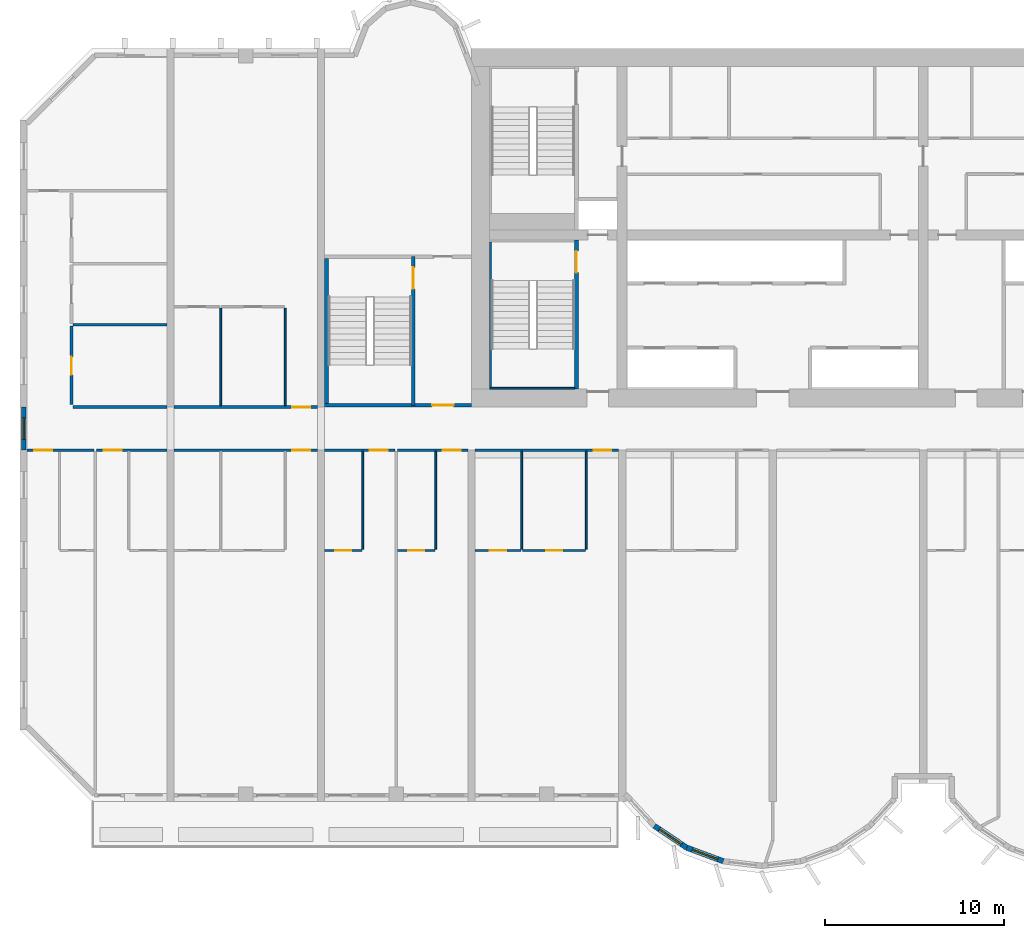
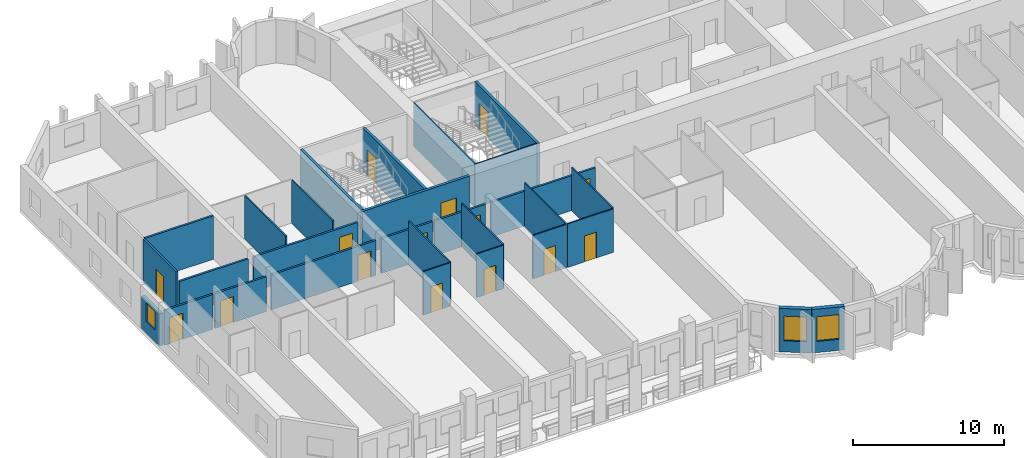
# One storey, part 3 of 14: 29 walls, 15 doors, 3 windows, 18 openings.
"""IFC4 building model written with IfcOpenShell, lengths in metres."""

import ifcopenshell
import ifcopenshell.guid

model = None  # the IFC model being written
_history = None  # IfcOwnerHistory: only IFC2X3 demands one
_inside = {}  # id of a spatial element -> (the spatial element, [elements in it])
_under = {}  # id of a project, library or spatial element -> (it, [spatial elements below it])
_declared = {}  # id of a project -> (the project, [libraries it declares])
_typed = {}  # id of a type object -> (the type object, [elements of that type])
_made_of = {}  # id of a material, layer set ... -> (it, [elements and type objects made of it])


def new_model(schema):
    """Start an empty IFC model of exactly this schema.

    Asked for "IFC4X3", IfcOpenShell would pick the latest addendum, in which some entities
    have other attributes; the version numbers below select the first issue.
    IFC2X3 requires an IfcOwnerHistory on every rooted entity: one is made here for all.
    """
    global model, _history
    if schema == "IFC4X3":
        model = ifcopenshell.file(schema_version=(4, 3, 0, 0))
    else:
        model = ifcopenshell.file(schema=schema)
    _inside.clear()
    _under.clear()
    _declared.clear()
    _typed.clear()
    _made_of.clear()
    _history = None
    if model.schema == "IFC2X3":
        org = make("IfcOrganization", Name="unknown")
        user = make(
            "IfcPersonAndOrganization",
            ThePerson=make("IfcPerson", FamilyName="unknown"),
            TheOrganization=org,
        )
        app = make(
            "IfcApplication",
            ApplicationDeveloper=org,
            Version="unknown",
            ApplicationFullName="unknown",
            ApplicationIdentifier="unknown",
        )
        _history = make(
            "IfcOwnerHistory",
            OwningUser=user,
            OwningApplication=app,
            ChangeAction="ADDED",
            CreationDate=0,
        )
    return model


def make(cls, **values):
    """One entity of the class cls with the attributes given. An attribute that is None is left unset."""
    return model.create_entity(
        cls, **{name: value for name, value in values.items() if value is not None}
    )


def rooted(cls, **values):
    """An entity with a GlobalId (a new one), such as an element, a storey or a relation."""
    return make(cls, GlobalId=ifcopenshell.guid.new(), OwnerHistory=_history, **values)


def si_unit(unit_type, name, prefix=None):
    """IfcSIUnit, for example si_unit("LENGTHUNIT", "METRE", prefix="MILLI")."""
    return make("IfcSIUnit", UnitType=unit_type, Prefix=prefix, Name=name)


def assignment(units):
    """IfcUnitAssignment: the units of a project."""
    return None if units is None else make("IfcUnitAssignment", Units=units)


def point(xyz):
    """IfcCartesianPoint."""
    return None if xyz is None else make("IfcCartesianPoint", Coordinates=xyz)


def direction(xyz):
    """IfcDirection."""
    return None if xyz is None else make("IfcDirection", DirectionRatios=xyz)


def frame(location, z_axis=None, x_axis=None):
    """IfcAxis2Placement3D, a coordinate frame: its origin and axes. An axis left out is left unset."""
    return make(
        "IfcAxis2Placement3D",
        Location=point(location),
        Axis=direction(z_axis),
        RefDirection=direction(x_axis),
    )


def frame_2d(location, x_axis=None):
    """IfcAxis2Placement2D, a coordinate frame in the plane: its origin and x axis."""
    return make(
        "IfcAxis2Placement2D", Location=point(location), RefDirection=direction(x_axis)
    )


def origin():
    """The frame at (0, 0, 0) with its axes left unset."""
    return frame((0.0, 0.0, 0.0))


def place(relative_to, where):
    """IfcLocalPlacement: puts the frame where relative to a parent placement (None: the world)."""
    return make(
        "IfcLocalPlacement", PlacementRelTo=relative_to, RelativePlacement=where
    )


def context(
    kind, dimensions, precision=None, world=None, true_north=None, identifier=None
):
    """IfcGeometricRepresentationContext, for example the 3D "Model" context."""
    return make(
        "IfcGeometricRepresentationContext",
        ContextIdentifier=identifier,
        ContextType=kind,
        CoordinateSpaceDimension=dimensions,
        Precision=precision,
        WorldCoordinateSystem=world,
        TrueNorth=true_north,
    )


def subcontext(parent, identifier, kind, view, scale=None):
    """IfcGeometricRepresentationSubContext, for example "Body" below "Model"."""
    return make(
        "IfcGeometricRepresentationSubContext",
        ContextIdentifier=identifier,
        ContextType=kind,
        ParentContext=parent,
        TargetScale=scale,
        TargetView=view,
    )


def project(units=None, contexts=None):
    """IfcProject with its units and contexts."""
    return rooted(
        "IfcProject",
        Name="project",
        RepresentationContexts=contexts,
        UnitsInContext=assignment(units),
    )


def spatial(cls, under=None, at=None, **own):
    """A site, building, storey or space (cls), placed at a placement, below another one or the project."""
    s = rooted(cls, ObjectPlacement=at, **own)
    if under is not None:
        _under.setdefault(under.id(), (under, []))[1].append(s)
    return s


def profile(cls, at=None, kind="AREA", **sizes):
    """A parametric profile (cls). Its sizes go by their IFC names, for example OverallWidth=200.0."""
    return make(cls, ProfileType=kind, Position=at, **sizes)


def rectangle(**sizes):
    """IfcRectangleProfileDef."""
    return profile("IfcRectangleProfileDef", **sizes)


def extrude(swept, where, along, depth):
    """IfcExtrudedAreaSolid: the profile swept, set in the frame where, extruded along a direction by depth."""
    return make(
        "IfcExtrudedAreaSolid",
        SweptArea=swept,
        Position=where,
        ExtrudedDirection=direction(along),
        Depth=depth,
    )


def shape(context_of_items, identifier, shape_type, items):
    """IfcShapeRepresentation: the items that make up one representation, for example the "Body"."""
    return make(
        "IfcShapeRepresentation",
        ContextOfItems=context_of_items,
        RepresentationIdentifier=identifier,
        RepresentationType=shape_type,
        Items=items,
    )


def source(mapping_origin, context_of_items, identifier, shape_type, items):
    """IfcRepresentationMap: a shape defined once, which mapped items show again and again."""
    return make(
        "IfcRepresentationMap",
        MappingOrigin=mapping_origin,
        MappedRepresentation=shape(context_of_items, identifier, shape_type, items),
    )


def transform(
    local_origin,
    x_axis=None,
    y_axis=None,
    z_axis=None,
    scale=None,
    scale2=None,
    scale3=None,
    uniform=True,
):
    """IfcCartesianTransformationOperator3D, or its non-uniform kind. x_axis, y_axis, z_axis: its Axis1, 2, 3."""
    if uniform:
        return make(
            "IfcCartesianTransformationOperator3D",
            Axis1=direction(x_axis),
            Axis2=direction(y_axis),
            LocalOrigin=point(local_origin),
            Scale=scale,
            Axis3=direction(z_axis),
        )
    return make(
        "IfcCartesianTransformationOperator3DnonUniform",
        Axis1=direction(x_axis),
        Axis2=direction(y_axis),
        LocalOrigin=point(local_origin),
        Scale=scale,
        Axis3=direction(z_axis),
        Scale2=scale2,
        Scale3=scale3,
    )


def mapped(mapping_source, mapping_target):
    """IfcMappedItem: shows the shape of a source again, moved by a transform."""
    return make(
        "IfcMappedItem", MappingSource=mapping_source, MappingTarget=mapping_target
    )


def material(Name=None, Category=None):
    """IfcMaterial."""
    return make("IfcMaterial", Name=Name, Category=Category)


def layer(
    of_material, thickness, ventilated=None, Name=None, Category=None, Priority=None
):
    """IfcMaterialLayer: one layer of a wall or slab, of a material (None: an air gap)."""
    return make(
        "IfcMaterialLayer",
        Material=of_material,
        LayerThickness=thickness,
        IsVentilated=ventilated,
        Name=Name,
        Category=Category,
        Priority=Priority,
    )


def layer_set(layers, Name=None):
    """IfcMaterialLayerSet."""
    return make("IfcMaterialLayerSet", MaterialLayers=layers, LayerSetName=Name)


def made_of(thing, what):
    """Note that an element or type object is made of a material, layer set ...; save() writes the relation."""
    if what is not None:
        _made_of.setdefault(what.id(), (what, []))[1].append(thing)
    return thing


def type_object(cls, material=None, **own):
    """A type object (cls), such as IfcWallType, which elements share."""
    return made_of(rooted(cls, **own), material)


def element(
    cls,
    number,
    at=None,
    inside=None,
    cuts=None,
    type_object=None,
    material=None,
    context=None,
    identifier="Body",
    shape_type=None,
    held_by="IfcProductDefinitionShape",
    body=None,
    shapes=None,
    **own,
):
    """One element of the class cls, such as IfcWall. Its Tag is "e" and its number.

    at: its placement. inside: the storey or other place that contains it. cuts: it is an
    opening in that element (IfcRelVoidsElement). A single representation is given by context,
    identifier, shape_type and body (its items); several are given by shapes. held_by: the class
    of the entity that holds the representations. save() writes the other relations.
    """
    e = rooted(cls, Tag="e%d" % number, ObjectPlacement=at, **own)
    if body is not None:
        shapes = [shape(context, identifier, shape_type, body)]
    if shapes is not None:
        e.Representation = make(held_by, Representations=shapes)
    if inside is not None:
        _inside.setdefault(inside.id(), (inside, []))[1].append(e)
    if cuts is not None:
        rooted(
            "IfcRelVoidsElement", RelatingBuildingElement=cuts, RelatedOpeningElement=e
        )
    if type_object is not None:
        _typed.setdefault(type_object.id(), (type_object, []))[1].append(e)
    return made_of(e, material)


def fill(opening, filler):
    """IfcRelFillsElement: the door or window that sits in an opening."""
    return rooted(
        "IfcRelFillsElement",
        RelatingOpeningElement=opening,
        RelatedBuildingElement=filler,
    )


def aggregate(whole, parts):
    """IfcRelAggregates: a whole, such as a stair, and the parts it consists of."""
    return rooted("IfcRelAggregates", RelatingObject=whole, RelatedObjects=parts)


def save(model, path):
    """Write the relations noted so far, then the file.

    IfcRelAggregates (storeys below a building ...), IfcRelContainedInSpatialStructure (elements
    in a storey), IfcRelDefinesByType, IfcRelAssociatesMaterial and IfcRelDeclares: one each for
    every whole, place, type object, material and project.
    """
    for whole, parts in _under.values():
        aggregate(whole, parts)
    for where, things in _inside.values():
        rooted(
            "IfcRelContainedInSpatialStructure",
            RelatedElements=things,
            RelatingStructure=where,
        )
    for kind, things in _typed.values():
        rooted("IfcRelDefinesByType", RelatedObjects=things, RelatingType=kind)
    for what, things in _made_of.values():
        rooted("IfcRelAssociatesMaterial", RelatedObjects=things, RelatingMaterial=what)
    for by, libraries in _declared.values():
        rooted("IfcRelDeclares", RelatingContext=by, RelatedDefinitions=libraries)
    model.write(path)


model = new_model("IFC4")

# Units and contexts
model_context = context("Model", 3, precision=1e-05, world=origin(), true_north=direction((0.0, 1.0)))
body_context = subcontext(model_context, "Body", "Model", "MODEL_VIEW")
ifc_project = project(units=[si_unit("LENGTHUNIT", "METRE"), si_unit("AREAUNIT", "SQUARE_METRE"), si_unit("VOLUMEUNIT", "CUBIC_METRE"), si_unit("PLANEANGLEUNIT", "RADIAN"), si_unit("MASSUNIT", "GRAM", prefix="KILO")], contexts=[model_context])

# Site, building, storey
site_placement = place(None, origin())
site = spatial("IfcSite", under=ifc_project, at=site_placement, CompositionType="ELEMENT")
building_placement = place(site_placement, origin())
building = spatial("IfcBuilding", under=site, at=building_placement, Name="Vanashikhar Sky Hotel", CompositionType="ELEMENT")
storey_placement = place(building_placement, frame((0.0, 0.0, 54.39990234375)))
storey = spatial("IfcBuildingStorey", under=building, at=storey_placement, Name="L12", CompositionType="ELEMENT", Elevation=54.39990234375)

# Wall, opening, window
ifc_material_1 = material(Name="Concrete M50", Category="concrete")
ifc_layer_1 = layer(ifc_material_1, 0.300048828125)
ifc_layer_set_1 = layer_set([ifc_layer_1], Name="Lobe wall 300")
wall_type_1 = type_object("IfcWallType", Name="Lobe wall 300", PredefinedType="SOLIDWALL", material=ifc_layer_set_1)
shared_shape_1 = source(origin(), body_context, "Body", "SweptSolid", [
    extrude(rectangle(XDim=2.17578125, YDim=0.300048828125, at=frame_2d((1.087890625, 0.0))), origin(), (0.0, 0.0, 1.0), 3.52001953125),
])
wall_1_placement = place(storey_placement, frame((35.395751953125, -1.36865234375, 0.0), z_axis=(0.0, 0.0, 1.0), x_axis=(0.829590746428, -0.558371913192, 0.0)))
wall_1 = element("IfcWall", 1, at=wall_1_placement, inside=storey, type_object=wall_type_1, Name="Lobe wall", PredefinedType="SOLIDWALL", context=body_context, shape_type="MappedRepresentation", body=[
    mapped(shared_shape_1, transform((0.0, 0.0, 0.0), scale=1.0)),
])
shared_shape_2 = source(origin(), body_context, "Body", "SweptSolid", [
    extrude(rectangle(XDim=1.5, YDim=2.0, at=frame_2d((0.75, 1.0))), frame((0.0, 0.16015625, 0.0), z_axis=(0.0, -1.0, 0.0), x_axis=(1.0, 0.0, 0.0)), (0.0, 0.0, 1.0), 0.320068359375),
])
opening_1_placement = place(wall_1_placement, frame((0.337890625, 0.0, 0.89990234375)))
opening_1 = element("IfcOpeningElement", 2, at=opening_1_placement, cuts=wall_1, Name="Opening WN-2", PredefinedType="OPENING", context=body_context, shape_type="MappedRepresentation", body=[
    mapped(shared_shape_2, transform((0.0, 0.0, 0.0), scale=1.0)),
])
ifc_material_2 = material(Name="Glass", Category="glass")
window_type_1 = type_object("IfcWindowType", Name="Lobe window 1500 x 2000", PartitioningType="SINGLE_PANEL", PredefinedType="WINDOW", material=ifc_material_2)
shared_shape_3 = source(origin(), body_context, "Body", "SweptSolid", [
    extrude(rectangle(XDim=1.5, YDim=2.0, at=frame_2d((0.75, 1.0))), frame((0.0, 0.030029296875, 0.0), z_axis=(0.0, -1.0, 0.0), x_axis=(1.0, 0.0, 0.0)), (0.0, 0.0, 1.0), 0.06005859375),
])
window_1_placement = place(opening_1_placement, origin())
window_1 = element("IfcWindow", 3, at=window_1_placement, inside=storey, type_object=window_type_1, Name="Window WN-2", OverallHeight=2.0, OverallWidth=1.5, PartitioningType="SINGLE_PANEL", PredefinedType="WINDOW", context=body_context, shape_type="MappedRepresentation", body=[
    mapped(shared_shape_3, transform((0.0, 0.0, 0.0), scale=1.0)),
])
fill(opening_1, window_1)

wall_2_placement = place(storey_placement, frame((37.20068359375, -2.58349609375, 0.0), z_axis=(0.0, 0.0, 1.0), x_axis=(0.93754555999, -0.347862505801, 0.0)))
wall_2 = element("IfcWall", 4, at=wall_2_placement, inside=storey, type_object=wall_type_1, Name="Lobe wall", PredefinedType="SOLIDWALL", context=body_context, shape_type="MappedRepresentation", body=[
    mapped(shared_shape_1, transform((0.0, 0.0, 0.0), scale=1.0)),
])
opening_2_placement = place(wall_2_placement, frame((0.337890625, 0.0, 0.89990234375)))
opening_2 = element("IfcOpeningElement", 5, at=opening_2_placement, cuts=wall_2, Name="Opening WN-2", PredefinedType="OPENING", context=body_context, shape_type="MappedRepresentation", body=[
    mapped(shared_shape_2, transform((0.0, 0.0, 0.0), scale=1.0)),
])
window_2_placement = place(opening_2_placement, origin())
window_2 = element("IfcWindow", 6, at=window_2_placement, inside=storey, type_object=window_type_1, Name="Window WN-2", OverallHeight=2.0, OverallWidth=1.5, PartitioningType="SINGLE_PANEL", PredefinedType="WINDOW", context=body_context, shape_type="MappedRepresentation", body=[
    mapped(shared_shape_3, transform((0.0, 0.0, 0.0), scale=1.0)),
])
fill(opening_2, window_2)

ifc_layer_2 = layer(ifc_material_1, 0.25)
ifc_layer_set_2 = layer_set([ifc_layer_2], Name="Rear and end board-marked wall 250")
wall_type_2 = type_object("IfcWallType", Name="Rear and end board-marked wall 250", PredefinedType="SOLIDWALL", material=ifc_layer_set_2)
shared_shape_4 = source(origin(), body_context, "Body", "SweptSolid", [
    extrude(rectangle(XDim=2.39990234375, YDim=0.25, at=frame_2d((1.199951171875, 0.0))), origin(), (0.0, 0.0, 1.0), 2.6201171875),
])
wall_3_placement = place(storey_placement, frame((0.199951171875, 19.60009765625, 0.0), z_axis=(0.0, 0.0, 1.0), x_axis=(0.0, 1.0, 0.0)))
wall_3 = element("IfcWall", 7, at=wall_3_placement, inside=storey, type_object=wall_type_2, Name="End corridor infill wall", PredefinedType="SOLIDWALL", context=body_context, shape_type="MappedRepresentation", body=[
    mapped(shared_shape_4, transform((0.0, 0.0, 0.0), scale=1.0)),
])
shared_shape_5 = source(origin(), body_context, "Body", "SweptSolid", [
    extrude(rectangle(XDim=1.199951171875, YDim=1.5, at=frame_2d((0.60009765625, 0.75))), frame((0.0, 0.135009765625, 0.0), z_axis=(0.0, -1.0, 0.0), x_axis=(1.0, 0.0, 0.0)), (0.0, 0.0, 1.0), 0.27001953125),
])
opening_3_placement = place(wall_3_placement, frame((0.60009765625, 0.0, 0.89990234375)))
opening_3 = element("IfcOpeningElement", 8, at=opening_3_placement, cuts=wall_3, Name="Opening WN-3", PredefinedType="OPENING", context=body_context, shape_type="MappedRepresentation", body=[
    mapped(shared_shape_5, transform((0.0, 0.0, 0.0), scale=1.0)),
])
window_type_2 = type_object("IfcWindowType", Name="Corridor end window 1200 x 1500", PartitioningType="SINGLE_PANEL", PredefinedType="WINDOW", material=ifc_material_2)
shared_shape_6 = source(origin(), body_context, "Body", "SweptSolid", [
    extrude(rectangle(XDim=1.199951171875, YDim=1.5, at=frame_2d((0.60009765625, 0.75))), frame((0.0, 0.030029296875, 0.0), z_axis=(0.0, -1.0, 0.0), x_axis=(1.0, 0.0, 0.0)), (0.0, 0.0, 1.0), 0.06005859375),
])
window_3_placement = place(opening_3_placement, origin())
window_3 = element("IfcWindow", 9, at=window_3_placement, inside=storey, type_object=window_type_2, Name="Window WN-3", OverallHeight=1.5, OverallWidth=1.199951171875, PartitioningType="SINGLE_PANEL", PredefinedType="WINDOW", context=body_context, shape_type="MappedRepresentation", body=[
    mapped(shared_shape_6, transform((0.0, 0.0, 0.0), scale=1.0)),
])
fill(opening_3, window_3)

# Wall, opening, door
ifc_layer_3 = layer(ifc_material_1, 0.199951171875)
ifc_layer_set_3 = layer_set([ifc_layer_3], Name="Stair wall 200")
wall_type_3 = type_object("IfcWallType", Name="Stair wall 200", PredefinedType="SOLIDWALL", material=ifc_layer_set_3)
shared_shape_7 = source(origin(), body_context, "Body", "SweptSolid", [
    extrude(rectangle(XDim=8.199951171875, YDim=0.199951171875, at=frame_2d((4.10009765625, 0.0))), origin(), (0.0, 0.0, 1.0), 3.52001953125),
])
wall_4_placement = place(storey_placement, frame((17.0, 22.10009765625, 0.0), z_axis=(0.0, 0.0, 1.0), x_axis=(1.0, 0.0, 0.0)))
wall_4 = element("IfcWall", 10, at=wall_4_placement, inside=storey, type_object=wall_type_3, Name="Stair wall 200", PredefinedType="SOLIDWALL", context=body_context, shape_type="MappedRepresentation", body=[
    mapped(shared_shape_7, transform((0.0, 0.0, 0.0), scale=1.0)),
])
shared_shape_8 = source(origin(), body_context, "Body", "SweptSolid", [
    extrude(rectangle(XDim=1.199951171875, YDim=2.10009765625, at=frame_2d((0.60009765625, 1.050048828125))), frame((0.0, 0.10986328125, 0.0), z_axis=(0.0, -1.0, 0.0), x_axis=(1.0, 0.0, 0.0)), (0.0, 0.0, 1.0), 0.219970703125),
])
opening_4_placement = place(wall_4_placement, frame((6.0, 0.0, 0.0)))
opening_4 = element("IfcOpeningElement", 11, at=opening_4_placement, cuts=wall_4, Name="Opening DC-2", PredefinedType="OPENING", context=body_context, shape_type="MappedRepresentation", body=[
    mapped(shared_shape_8, transform((0.0, 0.0, 0.0), scale=1.0)),
])
ifc_material_3 = material(Name="Steel", Category="steel")
door_type_1 = type_object("IfcDoorType", Name="Firefighting lobby door 1200 FD120", OperationType="NOTDEFINED", PredefinedType="DOOR", material=ifc_material_3)
shared_shape_9 = source(origin(), body_context, "Body", "SweptSolid", [
    extrude(rectangle(XDim=1.199951171875, YDim=2.10009765625, at=frame_2d((0.60009765625, 1.050048828125))), frame((0.0, 0.02490234375, 0.0), z_axis=(0.0, -1.0, 0.0), x_axis=(1.0, 0.0, 0.0)), (0.0, 0.0, 1.0), 0.050048828125),
])
door_1_placement = place(opening_4_placement, origin())
door_1 = element("IfcDoor", 12, at=door_1_placement, inside=storey, type_object=door_type_1, Name="Firefighting lobby door 1200 FD120", OperationType="SINGLE_SWING_RIGHT", OverallHeight=2.10009765625, OverallWidth=1.199951171875, PredefinedType="DOOR", context=body_context, shape_type="MappedRepresentation", body=[
    mapped(shared_shape_9, transform((0.0, 0.0, 0.0), scale=1.0)),
])
fill(opening_4, door_1)

shared_shape_10 = source(origin(), body_context, "Body", "SweptSolid", [
    extrude(rectangle(XDim=8.2998046875, YDim=0.199951171875, at=frame_2d((4.14990234375, 0.0))), origin(), (0.0, 0.0, 1.0), 3.52001953125),
])
wall_5_placement = place(storey_placement, frame((21.949951171875, 22.10009765625, 0.0), z_axis=(0.0, 0.0, 1.0), x_axis=(0.0, 1.0, 0.0)))
wall_5 = element("IfcWall", 13, at=wall_5_placement, inside=storey, type_object=wall_type_3, Name="Stair wall 200", PredefinedType="SOLIDWALL", context=body_context, shape_type="MappedRepresentation", body=[
    mapped(shared_shape_10, transform((0.0, 0.0, 0.0), scale=1.0)),
])
opening_5_placement = place(wall_5_placement, frame((6.5, 0.0, 0.0)))
opening_5 = element("IfcOpeningElement", 14, at=opening_5_placement, cuts=wall_5, Name="Opening DC-1", PredefinedType="OPENING", context=body_context, shape_type="MappedRepresentation", body=[
    mapped(shared_shape_8, transform((0.0, 0.0, 0.0), scale=1.0)),
])
door_type_2 = type_object("IfcDoorType", Name="Stair door 1200 FD120", OperationType="NOTDEFINED", PredefinedType="DOOR", material=ifc_material_3)
door_2_placement = place(opening_5_placement, origin())
door_2 = element("IfcDoor", 15, at=door_2_placement, inside=storey, type_object=door_type_2, Name="Stair door 1200 FD120", OperationType="SINGLE_SWING_RIGHT", OverallHeight=2.10009765625, OverallWidth=1.199951171875, PredefinedType="DOOR", context=body_context, shape_type="MappedRepresentation", body=[
    mapped(shared_shape_9, transform((0.0, 0.0, 0.0), scale=1.0)),
])
fill(opening_5, door_2)

# Walls
ifc_layer_4 = layer(ifc_material_1, 0.10009765625)
ifc_layer_set_4 = layer_set([ifc_layer_4], Name="Stair infill wall 100")
wall_type_4 = type_object("IfcWallType", Name="Stair infill wall 100", PredefinedType="SOLIDWALL", material=ifc_layer_set_4)
shared_shape_11 = source(origin(), body_context, "Body", "SweptSolid", [
    extrude(rectangle(XDim=4.75, YDim=0.10009765625, at=frame_2d((2.375, 0.0))), origin(), (0.0, 0.0, 1.0), 3.52001953125),
])
wall_6_placement = place(storey_placement, frame((26.199951171875, 23.050048828125, 0.0), z_axis=(0.0, 0.0, 1.0), x_axis=(1.0, 0.0, 0.0)))
element("IfcWall", 16, at=wall_6_placement, inside=storey, type_object=wall_type_4, Name="Stair infill wall 100", PredefinedType="SOLIDWALL", context=body_context, shape_type="MappedRepresentation", body=[
    mapped(shared_shape_11, transform((0.0, 0.0, 0.0), scale=1.0)),
])
shared_shape_12 = source(origin(), body_context, "Body", "SweptSolid", [
    extrude(rectangle(XDim=8.099853515625, YDim=0.10009765625, at=frame_2d((4.0498046875, 0.0))), origin(), (0.0, 0.0, 1.0), 3.52001953125),
])
wall_7_placement = place(storey_placement, frame((26.25, 23.10009765625, 0.0), z_axis=(0.0, 0.0, 1.0), x_axis=(0.0, 1.0, 0.0)))
element("IfcWall", 17, at=wall_7_placement, inside=storey, type_object=wall_type_4, Name="Stair infill wall 100", PredefinedType="SOLIDWALL", context=body_context, shape_type="MappedRepresentation", body=[
    mapped(shared_shape_12, transform((0.0, 0.0, 0.0), scale=1.0)),
])

# Wall, opening, door
shared_shape_13 = source(origin(), body_context, "Body", "SweptSolid", [
    extrude(rectangle(XDim=8.324951171875, YDim=0.199951171875, at=frame_2d((4.16259765625, 0.0))), origin(), (0.0, 0.0, 1.0), 3.52001953125),
])
wall_8_placement = place(storey_placement, frame((31.050048828125, 23.0, 0.0), z_axis=(0.0, 0.0, 1.0), x_axis=(0.0, 1.0, 0.0)))
wall_8 = element("IfcWall", 18, at=wall_8_placement, inside=storey, type_object=wall_type_3, Name="Stair wall 200", PredefinedType="SOLIDWALL", context=body_context, shape_type="MappedRepresentation", body=[
    mapped(shared_shape_13, transform((0.0, 0.0, 0.0), scale=1.0)),
])
opening_6_placement = place(wall_8_placement, frame((6.5, 0.0, 0.0)))
opening_6 = element("IfcOpeningElement", 19, at=opening_6_placement, cuts=wall_8, Name="Opening DC-1", PredefinedType="OPENING", context=body_context, shape_type="MappedRepresentation", body=[
    mapped(shared_shape_8, transform((0.0, 0.0, 0.0), scale=1.0)),
])
door_3_placement = place(opening_6_placement, origin())
door_3 = element("IfcDoor", 20, at=door_3_placement, inside=storey, type_object=door_type_2, Name="Stair door 1200 FD120", OperationType="SINGLE_SWING_RIGHT", OverallHeight=2.10009765625, OverallWidth=1.199951171875, PredefinedType="DOOR", context=body_context, shape_type="MappedRepresentation", body=[
    mapped(shared_shape_9, transform((0.0, 0.0, 0.0), scale=1.0)),
])
fill(opening_6, door_3)

# Wall
ifc_layer_5 = layer(ifc_material_1, 0.199951171875)
ifc_layer_set_5 = layer_set([ifc_layer_5], Name="Stair infill wall 200")
wall_type_5 = type_object("IfcWallType", Name="Stair infill wall 200", PredefinedType="SOLIDWALL", material=ifc_layer_set_5)
shared_shape_14 = source(origin(), body_context, "Body", "SweptSolid", [
    extrude(rectangle(XDim=8.10009765625, YDim=0.199951171875, at=frame_2d((4.050048828125, 0.0))), origin(), (0.0, 0.0, 1.0), 3.52001953125),
])
wall_9_placement = place(storey_placement, frame((17.10009765625, 22.199951171875, 0.0), z_axis=(0.0, 0.0, 1.0), x_axis=(0.0, 1.0, 0.0)))
element("IfcWall", 21, at=wall_9_placement, inside=storey, type_object=wall_type_5, Name="Stair infill wall 200", PredefinedType="SOLIDWALL", context=body_context, shape_type="MappedRepresentation", body=[
    mapped(shared_shape_14, transform((0.0, 0.0, 0.0), scale=1.0)),
])

# Wall, opening, door
ifc_material_4 = material(Name="Gypsum plasterboard partition")
ifc_layer_6 = layer(ifc_material_4, 0.14990234375)
ifc_layer_set_6 = layer_set([ifc_layer_6], Name="Corridor and demising partition 150")
wall_type_6 = type_object("IfcWallType", Name="Corridor and demising partition 150", PredefinedType="PARTITIONING", material=ifc_layer_set_6)
shared_shape_15 = source(origin(), body_context, "Body", "SweptSolid", [
    extrude(rectangle(XDim=4.375, YDim=0.14990234375, at=frame_2d((2.1875, 0.0))), origin(), (0.0, 0.0, 1.0), 3.52001953125),
])
wall_10_placement = place(storey_placement, frame((2.875, 22.14990234375, 0.0), z_axis=(0.0, 0.0, 1.0), x_axis=(0.0, 1.0, 0.0)))
wall_10 = element("IfcWall", 22, at=wall_10_placement, inside=storey, type_object=wall_type_6, Name="W-L12-PW074", PredefinedType="PARTITIONING", context=body_context, shape_type="MappedRepresentation", body=[
    mapped(shared_shape_15, transform((0.0, 0.0, 0.0), scale=1.0)),
])
shared_shape_16 = source(origin(), body_context, "Body", "SweptSolid", [
    extrude(rectangle(XDim=1.0, YDim=2.10009765625, at=frame_2d((0.5, 1.050048828125))), frame((0.0, 0.0849609375, 0.0), z_axis=(0.0, -1.0, 0.0), x_axis=(1.0, 0.0, 0.0)), (0.0, 0.0, 1.0), 0.169921875),
])
opening_7_placement = place(wall_10_placement, frame((1.64990234375, 0.0, 0.0)))
opening_7 = element("IfcOpeningElement", 23, at=opening_7_placement, cuts=wall_10, Name="Opening D-01", PredefinedType="OPENING", context=body_context, shape_type="MappedRepresentation", body=[
    mapped(shared_shape_16, transform((0.0, 0.0, 0.0), scale=1.0)),
])
ifc_material_5 = material(Name="Timber fire door", Category="wood")
door_type_3 = type_object("IfcDoorType", Name="Guest entry door 1000 FD30S", OperationType="NOTDEFINED", PredefinedType="DOOR", material=ifc_material_5)
shared_shape_17 = source(origin(), body_context, "Body", "SweptSolid", [
    extrude(rectangle(XDim=1.0, YDim=2.10009765625, at=frame_2d((0.5, 1.050048828125))), frame((0.0, 0.02490234375, 0.0), z_axis=(0.0, -1.0, 0.0), x_axis=(1.0, 0.0, 0.0)), (0.0, 0.0, 1.0), 0.050048828125),
])
door_4_placement = place(opening_7_placement, origin())
door_4 = element("IfcDoor", 24, at=door_4_placement, inside=storey, type_object=door_type_3, Name="D-L12-042", OperationType="SINGLE_SWING_LEFT", OverallHeight=2.10009765625, OverallWidth=1.0, PredefinedType="DOOR", context=body_context, shape_type="MappedRepresentation", body=[
    mapped(shared_shape_17, transform((0.0, 0.0, 0.0), scale=1.0)),
])
fill(opening_7, door_4)

ifc_layer_7 = layer(ifc_material_4, 0.10009765625)
ifc_layer_set_7 = layer_set([ifc_layer_7], Name="Wet room partition 100")
wall_type_7 = type_object("IfcWallType", Name="Wet room partition 100", PredefinedType="PARTITIONING", material=ifc_layer_set_7)
shared_shape_18 = source(origin(), body_context, "Body", "SweptSolid", [
    extrude(rectangle(XDim=3.5, YDim=0.10009765625, at=frame_2d((1.75, 0.0))), origin(), (0.0, 0.0, 1.0), 3.52001953125),
])
wall_11_placement = place(storey_placement, frame((28.050048828125, 14.0, 0.0), z_axis=(0.0, 0.0, 1.0), x_axis=(1.0, 0.0, 0.0)))
wall_11 = element("IfcWall", 25, at=wall_11_placement, inside=storey, type_object=wall_type_7, Name="W-L12-PW022", PredefinedType="PARTITIONING", context=body_context, shape_type="MappedRepresentation", body=[
    mapped(shared_shape_18, transform((0.0, 0.0, 0.0), scale=1.0)),
])
shared_shape_19 = source(origin(), body_context, "Body", "SweptSolid", [
    extrude(rectangle(XDim=0.89990234375, YDim=2.10009765625, at=frame_2d((0.449951171875, 1.050048828125))), frame((0.0, 0.06005859375, 0.0), z_axis=(0.0, -1.0, 0.0), x_axis=(1.0, 0.0, 0.0)), (0.0, 0.0, 1.0), 0.1201171875),
])
opening_8_placement = place(wall_11_placement, frame((1.300048828125, 0.0, 0.0)))
opening_8 = element("IfcOpeningElement", 26, at=opening_8_placement, cuts=wall_11, Name="Opening D-02", PredefinedType="OPENING", context=body_context, shape_type="MappedRepresentation", body=[
    mapped(shared_shape_19, transform((0.0, 0.0, 0.0), scale=1.0)),
])
ifc_material_6 = material(Name="Timber door", Category="wood")
door_type_4 = type_object("IfcDoorType", Name="Internal door 900", OperationType="NOTDEFINED", PredefinedType="DOOR", material=ifc_material_6)
shared_shape_20 = source(origin(), body_context, "Body", "SweptSolid", [
    extrude(rectangle(XDim=0.89990234375, YDim=2.10009765625, at=frame_2d((0.449951171875, 1.050048828125))), frame((0.0, 0.02490234375, 0.0), z_axis=(0.0, -1.0, 0.0), x_axis=(1.0, 0.0, 0.0)), (0.0, 0.0, 1.0), 0.050048828125),
])
door_5_placement = place(opening_8_placement, origin())
door_5 = element("IfcDoor", 27, at=door_5_placement, inside=storey, type_object=door_type_4, Name="D-L12-012", OperationType="SINGLE_SWING_RIGHT", OverallHeight=2.10009765625, OverallWidth=0.89990234375, PredefinedType="DOOR", context=body_context, shape_type="MappedRepresentation", body=[
    mapped(shared_shape_20, transform((0.0, 0.0, 0.0), scale=1.0)),
])
fill(opening_8, door_5)

shared_shape_21 = source(origin(), body_context, "Body", "SweptSolid", [
    extrude(rectangle(XDim=2.074951171875, YDim=0.10009765625, at=frame_2d((1.03759765625, 0.0))), origin(), (0.0, 0.0, 1.0), 3.52001953125),
])
wall_12_placement = place(storey_placement, frame((17.0, 14.0, 0.0), z_axis=(0.0, 0.0, 1.0), x_axis=(1.0, 0.0, 0.0)))
wall_12 = element("IfcWall", 28, at=wall_12_placement, inside=storey, type_object=wall_type_7, Name="W-L12-PW014", PredefinedType="PARTITIONING", context=body_context, shape_type="MappedRepresentation", body=[
    mapped(shared_shape_21, transform((0.0, 0.0, 0.0), scale=1.0)),
])
opening_9_placement = place(wall_12_placement, frame((0.587890625, 0.0, 0.0)))
opening_9 = element("IfcOpeningElement", 29, at=opening_9_placement, cuts=wall_12, Name="Opening D-02", PredefinedType="OPENING", context=body_context, shape_type="MappedRepresentation", body=[
    mapped(shared_shape_19, transform((0.0, 0.0, 0.0), scale=1.0)),
])
door_6_placement = place(opening_9_placement, origin())
door_6 = element("IfcDoor", 30, at=door_6_placement, inside=storey, type_object=door_type_4, Name="D-L12-008", OperationType="SINGLE_SWING_RIGHT", OverallHeight=2.10009765625, OverallWidth=0.89990234375, PredefinedType="DOOR", context=body_context, shape_type="MappedRepresentation", body=[
    mapped(shared_shape_20, transform((0.0, 0.0, 0.0), scale=1.0)),
])
fill(opening_9, door_6)

wall_13_placement = place(storey_placement, frame((21.074951171875, 14.0, 0.0), z_axis=(0.0, 0.0, 1.0), x_axis=(1.0, 0.0, 0.0)))
wall_13 = element("IfcWall", 31, at=wall_13_placement, inside=storey, type_object=wall_type_7, Name="W-L12-PW017", PredefinedType="PARTITIONING", context=body_context, shape_type="MappedRepresentation", body=[
    mapped(shared_shape_21, transform((0.0, 0.0, 0.0), scale=1.0)),
])
opening_10_placement = place(wall_13_placement, frame((0.5869140625, 0.0, 0.0)))
opening_10 = element("IfcOpeningElement", 32, at=opening_10_placement, cuts=wall_13, Name="Opening D-02", PredefinedType="OPENING", context=body_context, shape_type="MappedRepresentation", body=[
    mapped(shared_shape_19, transform((0.0, 0.0, 0.0), scale=1.0)),
])
door_7_placement = place(opening_10_placement, origin())
door_7 = element("IfcDoor", 33, at=door_7_placement, inside=storey, type_object=door_type_4, Name="D-L12-010", OperationType="SINGLE_SWING_RIGHT", OverallHeight=2.10009765625, OverallWidth=0.89990234375, PredefinedType="DOOR", context=body_context, shape_type="MappedRepresentation", body=[
    mapped(shared_shape_20, transform((0.0, 0.0, 0.0), scale=1.0)),
])
fill(opening_10, door_7)

shared_shape_22 = source(origin(), body_context, "Body", "SweptSolid", [
    extrude(rectangle(XDim=3.925048828125, YDim=0.14990234375, at=frame_2d((1.96240234375, 0.0))), origin(), (0.0, 0.0, 1.0), 2.820068359375),
])
wall_14_placement = place(storey_placement, frame((4.27490234375, 19.60009765625, 0.0), z_axis=(0.0, 0.0, 1.0), x_axis=(1.0, 0.0, 0.0)))
wall_14 = element("IfcWall", 34, at=wall_14_placement, inside=storey, type_object=wall_type_6, Name="W-L12-PW006", PredefinedType="PARTITIONING", context=body_context, shape_type="MappedRepresentation", body=[
    mapped(shared_shape_22, transform((0.0, 0.0, 0.0), scale=1.0)),
])
opening_11_placement = place(wall_14_placement, frame((0.39990234375, 0.0, 0.0)))
opening_11 = element("IfcOpeningElement", 35, at=opening_11_placement, cuts=wall_14, Name="Opening D-01", PredefinedType="OPENING", context=body_context, shape_type="MappedRepresentation", body=[
    mapped(shared_shape_16, transform((0.0, 0.0, 0.0), scale=1.0)),
])
door_8_placement = place(opening_11_placement, origin())
door_8 = element("IfcDoor", 36, at=door_8_placement, inside=storey, type_object=door_type_3, Name="D-L12-004", OperationType="SINGLE_SWING_LEFT", OverallHeight=2.10009765625, OverallWidth=1.0, PredefinedType="DOOR", context=body_context, shape_type="MappedRepresentation", body=[
    mapped(shared_shape_17, transform((0.0, 0.0, 0.0), scale=1.0)),
])
fill(opening_11, door_8)

wall_15_placement = place(storey_placement, frame((17.0, 19.60009765625, 0.0), z_axis=(0.0, 0.0, 1.0), x_axis=(1.0, 0.0, 0.0)))
wall_15 = element("IfcWall", 37, at=wall_15_placement, inside=storey, type_object=wall_type_6, Name="W-L12-PW015", PredefinedType="PARTITIONING", context=body_context, shape_type="MappedRepresentation", body=[
    mapped(shared_shape_22, transform((0.0, 0.0, 0.0), scale=1.0)),
])
opening_12_placement = place(wall_15_placement, frame((2.52490234375, 0.0, 0.0)))
opening_12 = element("IfcOpeningElement", 38, at=opening_12_placement, cuts=wall_15, Name="Opening D-01", PredefinedType="OPENING", context=body_context, shape_type="MappedRepresentation", body=[
    mapped(shared_shape_16, transform((0.0, 0.0, 0.0), scale=1.0)),
])
door_9_placement = place(opening_12_placement, origin())
door_9 = element("IfcDoor", 39, at=door_9_placement, inside=storey, type_object=door_type_3, Name="D-L12-009", OperationType="SINGLE_SWING_RIGHT", OverallHeight=2.10009765625, OverallWidth=1.0, PredefinedType="DOOR", context=body_context, shape_type="MappedRepresentation", body=[
    mapped(shared_shape_17, transform((0.0, 0.0, 0.0), scale=1.0)),
])
fill(opening_12, door_9)

wall_16_placement = place(storey_placement, frame((21.074951171875, 19.60009765625, 0.0), z_axis=(0.0, 0.0, 1.0), x_axis=(1.0, 0.0, 0.0)))
wall_16 = element("IfcWall", 40, at=wall_16_placement, inside=storey, type_object=wall_type_6, Name="W-L12-PW018", PredefinedType="PARTITIONING", context=body_context, shape_type="MappedRepresentation", body=[
    mapped(shared_shape_22, transform((0.0, 0.0, 0.0), scale=1.0)),
])
opening_13_placement = place(wall_16_placement, frame((2.52490234375, 0.0, 0.0)))
opening_13 = element("IfcOpeningElement", 41, at=opening_13_placement, cuts=wall_16, Name="Opening D-01", PredefinedType="OPENING", context=body_context, shape_type="MappedRepresentation", body=[
    mapped(shared_shape_16, transform((0.0, 0.0, 0.0), scale=1.0)),
])
door_10_placement = place(opening_13_placement, origin())
door_10 = element("IfcDoor", 42, at=door_10_placement, inside=storey, type_object=door_type_3, Name="D-L12-011", OperationType="SINGLE_SWING_RIGHT", OverallHeight=2.10009765625, OverallWidth=1.0, PredefinedType="DOOR", context=body_context, shape_type="MappedRepresentation", body=[
    mapped(shared_shape_17, transform((0.0, 0.0, 0.0), scale=1.0)),
])
fill(opening_13, door_10)

shared_shape_23 = source(origin(), body_context, "Body", "SweptSolid", [
    extrude(rectangle(XDim=2.550048828125, YDim=0.10009765625, at=frame_2d((1.27490234375, 0.0))), origin(), (0.0, 0.0, 1.0), 3.52001953125),
])
wall_17_placement = place(storey_placement, frame((25.39990234375, 14.0, 0.0), z_axis=(0.0, 0.0, 1.0), x_axis=(1.0, 0.0, 0.0)))
wall_17 = element("IfcWall", 43, at=wall_17_placement, inside=storey, type_object=wall_type_7, Name="W-L12-PW023", PredefinedType="PARTITIONING", context=body_context, shape_type="MappedRepresentation", body=[
    mapped(shared_shape_23, transform((0.0, 0.0, 0.0), scale=1.0)),
])
opening_14_placement = place(wall_17_placement, frame((0.824951171875, 0.0, 0.0)))
opening_14 = element("IfcOpeningElement", 44, at=opening_14_placement, cuts=wall_17, Name="Opening D-02", PredefinedType="OPENING", context=body_context, shape_type="MappedRepresentation", body=[
    mapped(shared_shape_19, transform((0.0, 0.0, 0.0), scale=1.0)),
])
door_11_placement = place(opening_14_placement, origin())
door_11 = element("IfcDoor", 45, at=door_11_placement, inside=storey, type_object=door_type_4, Name="D-L12-013", OperationType="SINGLE_SWING_RIGHT", OverallHeight=2.10009765625, OverallWidth=0.89990234375, PredefinedType="DOOR", context=body_context, shape_type="MappedRepresentation", body=[
    mapped(shared_shape_20, transform((0.0, 0.0, 0.0), scale=1.0)),
])
fill(opening_14, door_11)

shared_shape_24 = source(origin(), body_context, "Body", "SweptSolid", [
    extrude(rectangle(XDim=8.0, YDim=0.14990234375, at=frame_2d((4.0, 0.0))), origin(), (0.0, 0.0, 1.0), 2.820068359375),
])
wall_18_placement = place(storey_placement, frame((8.60009765625, 19.60009765625, 0.0), z_axis=(0.0, 0.0, 1.0), x_axis=(1.0, 0.0, 0.0)))
wall_18 = element("IfcWall", 46, at=wall_18_placement, inside=storey, type_object=wall_type_6, Name="W-L12-PW012", PredefinedType="PARTITIONING", context=body_context, shape_type="MappedRepresentation", body=[
    mapped(shared_shape_24, transform((0.0, 0.0, 0.0), scale=1.0)),
])
opening_15_placement = place(wall_18_placement, frame((6.60009765625, 0.0, 0.0)))
opening_15 = element("IfcOpeningElement", 47, at=opening_15_placement, cuts=wall_18, Name="Opening D-01", PredefinedType="OPENING", context=body_context, shape_type="MappedRepresentation", body=[
    mapped(shared_shape_16, transform((0.0, 0.0, 0.0), scale=1.0)),
])
door_12_placement = place(opening_15_placement, origin())
door_12 = element("IfcDoor", 48, at=door_12_placement, inside=storey, type_object=door_type_3, Name="D-L12-007", OperationType="SINGLE_SWING_RIGHT", OverallHeight=2.10009765625, OverallWidth=1.0, PredefinedType="DOOR", context=body_context, shape_type="MappedRepresentation", body=[
    mapped(shared_shape_17, transform((0.0, 0.0, 0.0), scale=1.0)),
])
fill(opening_15, door_12)

wall_19_placement = place(storey_placement, frame((25.39990234375, 19.60009765625, 0.0), z_axis=(0.0, 0.0, 1.0), x_axis=(1.0, 0.0, 0.0)))
wall_19 = element("IfcWall", 49, at=wall_19_placement, inside=storey, type_object=wall_type_6, Name="W-L12-PW024", PredefinedType="PARTITIONING", context=body_context, shape_type="MappedRepresentation", body=[
    mapped(shared_shape_24, transform((0.0, 0.0, 0.0), scale=1.0)),
])
opening_16_placement = place(wall_19_placement, frame((6.60009765625, 0.0, 0.0)))
opening_16 = element("IfcOpeningElement", 50, at=opening_16_placement, cuts=wall_19, Name="Opening D-01", PredefinedType="OPENING", context=body_context, shape_type="MappedRepresentation", body=[
    mapped(shared_shape_16, transform((0.0, 0.0, 0.0), scale=1.0)),
])
door_13_placement = place(opening_16_placement, origin())
door_13 = element("IfcDoor", 51, at=door_13_placement, inside=storey, type_object=door_type_3, Name="D-L12-014", OperationType="SINGLE_SWING_RIGHT", OverallHeight=2.10009765625, OverallWidth=1.0, PredefinedType="DOOR", context=body_context, shape_type="MappedRepresentation", body=[
    mapped(shared_shape_17, transform((0.0, 0.0, 0.0), scale=1.0)),
])
fill(opening_16, door_13)

wall_20_placement = place(storey_placement, frame((8.60009765625, 22.0, 0.0), z_axis=(0.0, 0.0, 1.0), x_axis=(1.0, 0.0, 0.0)))
wall_20 = element("IfcWall", 52, at=wall_20_placement, inside=storey, type_object=wall_type_6, Name="W-L12-PW084", PredefinedType="PARTITIONING", context=body_context, shape_type="MappedRepresentation", body=[
    mapped(shared_shape_24, transform((0.0, 0.0, 0.0), scale=1.0)),
])
opening_17_placement = place(wall_20_placement, frame((6.60009765625, 0.0, 0.0)))
opening_17 = element("IfcOpeningElement", 53, at=opening_17_placement, cuts=wall_20, Name="Opening D-01", PredefinedType="OPENING", context=body_context, shape_type="MappedRepresentation", body=[
    mapped(shared_shape_16, transform((0.0, 0.0, 0.0), scale=1.0)),
])
door_14_placement = place(opening_17_placement, origin())
door_14 = element("IfcDoor", 54, at=door_14_placement, inside=storey, type_object=door_type_3, Name="D-L12-048", OperationType="SINGLE_SWING_RIGHT", OverallHeight=2.10009765625, OverallWidth=1.0, PredefinedType="DOOR", context=body_context, shape_type="MappedRepresentation", body=[
    mapped(shared_shape_17, transform((0.0, 0.0, 0.0), scale=1.0)),
])
fill(opening_17, door_14)

# Walls
shared_shape_25 = source(origin(), body_context, "Body", "SweptSolid", [
    extrude(rectangle(XDim=5.25, YDim=0.14990234375, at=frame_2d((2.625, 0.0))), origin(), (0.0, 0.0, 1.0), 2.820068359375),
])
wall_21_placement = place(storey_placement, frame((2.949951171875, 22.0, 0.0), z_axis=(0.0, 0.0, 1.0), x_axis=(1.0, 0.0, 0.0)))
element("IfcWall", 55, at=wall_21_placement, inside=storey, type_object=wall_type_6, Name="W-L12-PW073", PredefinedType="PARTITIONING", context=body_context, shape_type="MappedRepresentation", body=[
    mapped(shared_shape_25, transform((0.0, 0.0, 0.0), scale=1.0)),
])
shared_shape_26 = source(origin(), body_context, "Body", "SweptSolid", [
    extrude(rectangle(XDim=5.25, YDim=0.14990234375, at=frame_2d((2.625, 0.0))), origin(), (0.0, 0.0, 1.0), 3.52001953125),
])
wall_22_placement = place(storey_placement, frame((2.949951171875, 26.60009765625, 0.0), z_axis=(0.0, 0.0, 1.0), x_axis=(1.0, 0.0, 0.0)))
element("IfcWall", 56, at=wall_22_placement, inside=storey, type_object=wall_type_6, Name="W-L12-PW075", PredefinedType="PARTITIONING", context=body_context, shape_type="MappedRepresentation", body=[
    mapped(shared_shape_26, transform((0.0, 0.0, 0.0), scale=1.0)),
])
shared_shape_27 = source(origin(), body_context, "Body", "SweptSolid", [
    extrude(rectangle(XDim=5.449951171875, YDim=0.10009765625, at=frame_2d((2.72509765625, 0.0))), origin(), (0.0, 0.0, 1.0), 3.52001953125),
])
for number, where, z_axis, x_axis, name in (
    (57, (19.125, 14.074951171875, 0.0), (0.0, 0.0, 1.0), (0.0, 1.0, 0.0), "W-L12-PW013"),
    (58, (23.199951171875, 14.074951171875, 0.0), (0.0, 0.0, 1.0), (0.0, 1.0, 0.0), "W-L12-PW016"),
    (59, (31.60009765625, 14.074951171875, 0.0), (0.0, 0.0, 1.0), (0.0, 1.0, 0.0), "W-L12-PW020"),
    (60, (28.0, 14.074951171875, 0.0), (0.0, 0.0, 1.0), (0.0, 1.0, 0.0), "W-L12-PW021"),
    (61, (14.800048828125, 22.074951171875, 0.0), (0.0, 0.0, 1.0), (0.0, 1.0, 0.0), "W-L12-PW080"),
    (62, (11.199951171875, 22.074951171875, 0.0), (0.0, 0.0, 1.0), (0.0, 1.0, 0.0), "W-L12-PW081"),
):
    element("IfcWall", number, at=place(storey_placement, frame(where, z_axis=z_axis, x_axis=x_axis)), inside=storey, type_object=wall_type_7, Name=name, PredefinedType="PARTITIONING", context=body_context, shape_type="MappedRepresentation", body=[
        mapped(shared_shape_27, transform((0.0, 0.0, 0.0), scale=1.0)),
    ])

# Wall, opening, door
shared_shape_28 = source(origin(), body_context, "Body", "SweptSolid", [
    extrude(rectangle(XDim=3.72509765625, YDim=0.14990234375, at=frame_2d((1.862548828125, 0.0))), origin(), (0.0, 0.0, 1.0), 2.820068359375),
])
wall_23_placement = place(storey_placement, frame((0.39990234375, 19.60009765625, 0.0), z_axis=(0.0, 0.0, 1.0), x_axis=(1.0, 0.0, 0.0)))
wall_23 = element("IfcWall", 63, at=wall_23_placement, inside=storey, type_object=wall_type_6, Name="W-L12-PW003", PredefinedType="PARTITIONING", context=body_context, shape_type="MappedRepresentation", body=[
    mapped(shared_shape_28, transform((0.0, 0.0, 0.0), scale=1.0)),
])
opening_18_placement = place(wall_23_placement, frame((0.39990234375, 0.0, 0.0)))
opening_18 = element("IfcOpeningElement", 64, at=opening_18_placement, cuts=wall_23, Name="Opening D-01", PredefinedType="OPENING", context=body_context, shape_type="MappedRepresentation", body=[
    mapped(shared_shape_16, transform((0.0, 0.0, 0.0), scale=1.0)),
])
door_15_placement = place(opening_18_placement, origin())
door_15 = element("IfcDoor", 65, at=door_15_placement, inside=storey, type_object=door_type_3, Name="D-L12-002", OperationType="SINGLE_SWING_LEFT", OverallHeight=2.10009765625, OverallWidth=1.0, PredefinedType="DOOR", context=body_context, shape_type="MappedRepresentation", body=[
    mapped(shared_shape_17, transform((0.0, 0.0, 0.0), scale=1.0)),
])
fill(opening_18, door_15)

save(model, "model.ifc")
